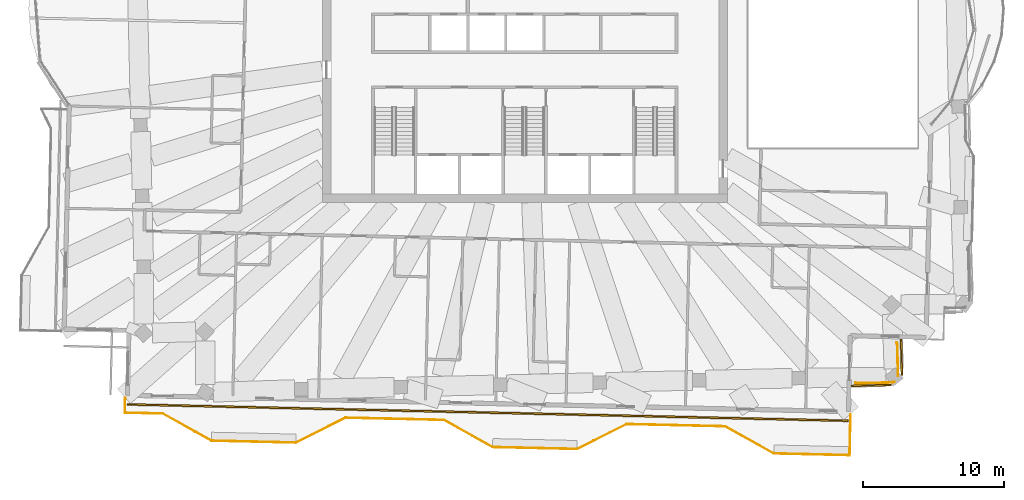
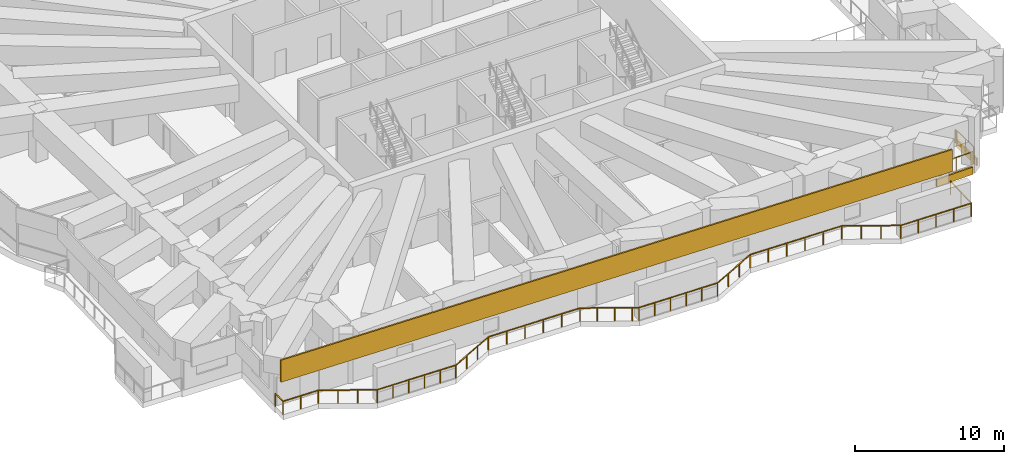
# One storey, part 17 of 20: 3 coverings, 3 railings.
"""IFC4 building model written with IfcOpenShell, lengths in metres."""

from ifc_helpers import new_model, si_unit, direction, frame, frame_2d, origin, origin_2d, place, context, subcontext, project, spatial, rectangle, extrude, material, layer, layer_set, type_object, element, save


model = new_model("IFC4")

# Units and contexts
model_context = context("Model", 3, precision=1e-05, world=origin(), true_north=direction((0.0, 1.0)))
body_context = subcontext(model_context, "Body", "Model", "MODEL_VIEW")
ifc_project = project(units=[si_unit("LENGTHUNIT", "METRE"), si_unit("AREAUNIT", "SQUARE_METRE"), si_unit("VOLUMEUNIT", "CUBIC_METRE"), si_unit("PLANEANGLEUNIT", "RADIAN"), si_unit("MASSUNIT", "GRAM", prefix="KILO")], contexts=[model_context])

# Site, building, storey
site_placement = place(None, origin())
site = spatial("IfcSite", under=ifc_project, at=site_placement, CompositionType="ELEMENT")
building_placement = place(site_placement, origin())
building = spatial("IfcBuilding", under=site, at=building_placement, Name="Mangrove Gate Tower", CompositionType="ELEMENT")
storey_placement = place(building_placement, frame((0.0, 0.0, 301.5)))
storey = spatial("IfcBuildingStorey", under=building, at=storey_placement, Name="L77", CompositionType="ELEMENT", Elevation=301.5)

# Railings
ifc_material_1 = material(Name="Stainless steel grade 316 with laminated glass infill", Category="steel")
railing_type = type_object("IfcRailingType", Name="Balcony guard 1100", PredefinedType="GUARDRAIL", material=ifc_material_1)
railing_1_placement = place(storey_placement, frame((-28.41796875, -25.2890625, 0.0)))
element("IfcRailing", 1, at=railing_1_placement, inside=storey, type_object=railing_type, Name="GUARD L77 S1", PredefinedType="GUARDRAIL", context=body_context, shape_type="SweptSolid", body=[
    extrude(rectangle(XDim=0.048095703125, YDim=0.048095703125, at=origin_2d()), frame((0.0, 0.0, 1.076171875), z_axis=(-0.022590498181, -0.999744802133, 0.0), x_axis=(0.999744802133, -0.022590498181, 0.0)), (0.0, 0.0, 1.0), 1.05908203125),
    extrude(rectangle(XDim=0.048095703125, YDim=0.048095703125, at=origin_2d()), frame((-0.02392578125, -1.058837890625, 1.076171875), z_axis=(0.999744396973, -0.02260842146, 0.0), x_axis=(0.02260842146, 0.999744396973, 0.0)), (0.0, 0.0, 1.0), 2.69970703125),
    extrude(rectangle(XDim=0.048095703125, YDim=0.048095703125, at=origin_2d()), frame((2.675048828125, -1.119873046875, 1.076171875), z_axis=(0.87325689943, -0.48726008209, 0.0), x_axis=(0.48726008209, 0.87325689943, 0.0)), (0.0, 0.0, 1.0), 3.958740234375),
    extrude(rectangle(XDim=0.048095703125, YDim=0.048095703125, at=origin_2d()), frame((6.132080078125, -3.048828125, 1.076171875), z_axis=(0.999738527144, -0.022866511426, 0.0), x_axis=(0.022866511426, 0.999738527144, 0.0)), (0.0, 0.0, 1.0), 6.000244140625),
    extrude(rectangle(XDim=0.048095703125, YDim=0.048095703125, at=origin_2d()), frame((12.130859375, -3.18603515625, 1.076171875), z_axis=(0.894377854182, 0.447312255532, 0.0), x_axis=(-0.447312255532, 0.894377854182, 0.0)), (0.0, 0.0, 1.0), 3.959228515625),
    extrude(rectangle(XDim=0.048095703125, YDim=0.048095703125, at=origin_2d()), frame((15.671875, -1.4150390625, 1.076171875), z_axis=(0.999742195543, -0.022705559911, 0.0), x_axis=(0.022705559911, 0.999742195543, 0.0)), (0.0, 0.0, 1.0), 6.999755859375),
    extrude(rectangle(XDim=0.048095703125, YDim=0.048095703125, at=origin_2d()), frame((22.669921875, -1.573974609375, 1.076171875), z_axis=(0.873203214325, -0.487356282911, 0.0), x_axis=(0.487356282911, 0.873203214325, 0.0)), (0.0, 0.0, 1.0), 3.506591796875),
    extrude(rectangle(XDim=0.048095703125, YDim=0.048095703125, at=origin_2d()), frame((25.73193359375, -3.282958984375, 1.076171875), z_axis=(0.873672905931, -0.486513775182, 0.0), x_axis=(0.486513775182, 0.873672905931, 0.0)), (0.0, 0.0, 1.0), 0.4521484375),
    extrude(rectangle(XDim=0.048095703125, YDim=0.048095703125, at=origin_2d()), frame((26.126953125, -3.5029296875, 1.076171875), z_axis=(0.999743178102, -0.022662255828, 0.0), x_axis=(0.022662255828, 0.999743178102, 0.0)), (0.0, 0.0, 1.0), 6.00048828125),
    extrude(rectangle(XDim=0.048095703125, YDim=0.048095703125, at=origin_2d()), frame((32.1259765625, -3.638916015625, 1.076171875), z_axis=(0.894476522376, 0.447114919141, 0.0), x_axis=(-0.447114919141, 0.894476522376, 0.0)), (0.0, 0.0, 1.0), 3.958740234375),
    extrude(rectangle(XDim=0.048095703125, YDim=0.048095703125, at=origin_2d()), frame((35.6669921875, -1.868896484375, 1.076171875), z_axis=(0.999742195543, -0.022705559911, 0.0), x_axis=(0.022705559911, 0.999742195543, 0.0)), (0.0, 0.0, 1.0), 6.999755859375),
    extrude(rectangle(XDim=0.048095703125, YDim=0.048095703125, at=origin_2d()), frame((42.6650390625, -2.02783203125, 1.076171875), z_axis=(0.873230657876, -0.487307108654, 0.0), x_axis=(0.487307108654, 0.873230657876, 0.0)), (0.0, 0.0, 1.0), 3.958984375),
    extrude(rectangle(XDim=0.048095703125, YDim=0.048095703125, at=origin_2d()), frame((46.1220703125, -3.95703125, 1.076171875), z_axis=(0.999745510027, -0.022559148481, 0.0), x_axis=(0.022559148481, 0.999745510027, 0.0)), (0.0, 0.0, 1.0), 5.400390625),
    extrude(rectangle(XDim=0.048095703125, YDim=0.048095703125, at=origin_2d()), frame((51.52099609375, -4.078857421875, 1.076171875), z_axis=(0.022654696127, 0.999743349437, 0.0), x_axis=(-0.999743349437, 0.022654696127, 0.0)), (0.0, 0.0, 1.0), 2.90966796875),
    extrude(rectangle(XDim=0.0419921875, YDim=0.0419921875, at=origin_2d()), origin(), (0.0, 0.0, 1.0), 1.052001953125),
    extrude(rectangle(XDim=0.0419921875, YDim=0.0419921875, at=origin_2d()), frame((-0.02392578125, -1.058837890625, 0.0)), (0.0, 0.0, 1.0), 1.052001953125),
    extrude(rectangle(XDim=0.0419921875, YDim=0.0419921875, at=origin_2d()), frame((1.32568359375, -1.08935546875, 0.0)), (0.0, 0.0, 1.0), 1.052001953125),
    extrude(rectangle(XDim=0.0419921875, YDim=0.0419921875, at=origin_2d()), frame((2.675048828125, -1.119873046875, 0.0)), (0.0, 0.0, 1.0), 1.052001953125),
    extrude(rectangle(XDim=0.0419921875, YDim=0.0419921875, at=origin_2d()), frame((3.827392578125, -1.762939453125, 0.0)), (0.0, 0.0, 1.0), 1.052001953125),
    extrude(rectangle(XDim=0.0419921875, YDim=0.0419921875, at=origin_2d()), frame((4.979736328125, -2.40576171875, 0.0)), (0.0, 0.0, 1.0), 1.052001953125),
    extrude(rectangle(XDim=0.0419921875, YDim=0.0419921875, at=origin_2d()), frame((6.132080078125, -3.048828125, 0.0)), (0.0, 0.0, 1.0), 1.052001953125),
    extrude(rectangle(XDim=0.0419921875, YDim=0.0419921875, at=origin_2d()), frame((7.331787109375, -3.076171875, 0.0)), (0.0, 0.0, 1.0), 1.052001953125),
    extrude(rectangle(XDim=0.0419921875, YDim=0.0419921875, at=origin_2d()), frame((8.531494140625, -3.103759765625, 0.0)), (0.0, 0.0, 1.0), 1.052001953125),
    extrude(rectangle(XDim=0.0419921875, YDim=0.0419921875, at=origin_2d()), frame((9.7314453125, -3.131103515625, 0.0)), (0.0, 0.0, 1.0), 1.052001953125),
    extrude(rectangle(XDim=0.0419921875, YDim=0.0419921875, at=origin_2d()), frame((10.93115234375, -3.15869140625, 0.0)), (0.0, 0.0, 1.0), 1.052001953125),
    extrude(rectangle(XDim=0.0419921875, YDim=0.0419921875, at=origin_2d()), frame((12.130859375, -3.18603515625, 0.0)), (0.0, 0.0, 1.0), 1.052001953125),
    extrude(rectangle(XDim=0.0419921875, YDim=0.0419921875, at=origin_2d()), frame((13.311279296875, -2.595703125, 0.0)), (0.0, 0.0, 1.0), 1.052001953125),
    extrude(rectangle(XDim=0.0419921875, YDim=0.0419921875, at=origin_2d()), frame((14.491455078125, -2.00537109375, 0.0)), (0.0, 0.0, 1.0), 1.052001953125),
    extrude(rectangle(XDim=0.0419921875, YDim=0.0419921875, at=origin_2d()), frame((15.671875, -1.4150390625, 0.0)), (0.0, 0.0, 1.0), 1.052001953125),
    extrude(rectangle(XDim=0.0419921875, YDim=0.0419921875, at=origin_2d()), frame((17.071533203125, -1.44677734375, 0.0)), (0.0, 0.0, 1.0), 1.052001953125),
    extrude(rectangle(XDim=0.0419921875, YDim=0.0419921875, at=origin_2d()), frame((18.47119140625, -1.478515625, 0.0)), (0.0, 0.0, 1.0), 1.052001953125),
    extrude(rectangle(XDim=0.0419921875, YDim=0.0419921875, at=origin_2d()), frame((19.87060546875, -1.510498046875, 0.0)), (0.0, 0.0, 1.0), 1.052001953125),
    extrude(rectangle(XDim=0.0419921875, YDim=0.0419921875, at=origin_2d()), frame((21.270263671875, -1.542236328125, 0.0)), (0.0, 0.0, 1.0), 1.052001953125),
    extrude(rectangle(XDim=0.0419921875, YDim=0.0419921875, at=origin_2d()), frame((22.669921875, -1.573974609375, 0.0)), (0.0, 0.0, 1.0), 1.052001953125),
    extrude(rectangle(XDim=0.0419921875, YDim=0.0419921875, at=origin_2d()), frame((23.690673828125, -2.1435546875, 0.0)), (0.0, 0.0, 1.0), 1.052001953125),
    extrude(rectangle(XDim=0.0419921875, YDim=0.0419921875, at=origin_2d()), frame((24.711181640625, -2.71337890625, 0.0)), (0.0, 0.0, 1.0), 1.052001953125),
    extrude(rectangle(XDim=0.0419921875, YDim=0.0419921875, at=origin_2d()), frame((25.73193359375, -3.282958984375, 0.0)), (0.0, 0.0, 1.0), 1.052001953125),
    extrude(rectangle(XDim=0.0419921875, YDim=0.0419921875, at=origin_2d()), frame((26.126953125, -3.5029296875, 0.0)), (0.0, 0.0, 1.0), 1.052001953125),
    extrude(rectangle(XDim=0.0419921875, YDim=0.0419921875, at=origin_2d()), frame((27.32666015625, -3.530029296875, 0.0)), (0.0, 0.0, 1.0), 1.052001953125),
    extrude(rectangle(XDim=0.0419921875, YDim=0.0419921875, at=origin_2d()), frame((28.526611328125, -3.557373046875, 0.0)), (0.0, 0.0, 1.0), 1.052001953125),
    extrude(rectangle(XDim=0.0419921875, YDim=0.0419921875, at=origin_2d()), frame((29.726318359375, -3.58447265625, 0.0)), (0.0, 0.0, 1.0), 1.052001953125),
    extrude(rectangle(XDim=0.0419921875, YDim=0.0419921875, at=origin_2d()), frame((30.92626953125, -3.61181640625, 0.0)), (0.0, 0.0, 1.0), 1.052001953125),
    extrude(rectangle(XDim=0.0419921875, YDim=0.0419921875, at=origin_2d()), frame((32.1259765625, -3.638916015625, 0.0)), (0.0, 0.0, 1.0), 1.052001953125),
    extrude(rectangle(XDim=0.0419921875, YDim=0.0419921875, at=origin_2d()), frame((33.306396484375, -3.048828125, 0.0)), (0.0, 0.0, 1.0), 1.052001953125),
    extrude(rectangle(XDim=0.0419921875, YDim=0.0419921875, at=origin_2d()), frame((34.486572265625, -2.458984375, 0.0)), (0.0, 0.0, 1.0), 1.052001953125),
    extrude(rectangle(XDim=0.0419921875, YDim=0.0419921875, at=origin_2d()), frame((35.6669921875, -1.868896484375, 0.0)), (0.0, 0.0, 1.0), 1.052001953125),
    extrude(rectangle(XDim=0.0419921875, YDim=0.0419921875, at=origin_2d()), frame((37.066650390625, -1.900634765625, 0.0)), (0.0, 0.0, 1.0), 1.052001953125),
    extrude(rectangle(XDim=0.0419921875, YDim=0.0419921875, at=origin_2d()), frame((38.46630859375, -1.932373046875, 0.0)), (0.0, 0.0, 1.0), 1.052001953125),
    extrude(rectangle(XDim=0.0419921875, YDim=0.0419921875, at=origin_2d()), frame((39.86572265625, -1.96435546875, 0.0)), (0.0, 0.0, 1.0), 1.052001953125),
    extrude(rectangle(XDim=0.0419921875, YDim=0.0419921875, at=origin_2d()), frame((41.265380859375, -1.99609375, 0.0)), (0.0, 0.0, 1.0), 1.052001953125),
    extrude(rectangle(XDim=0.0419921875, YDim=0.0419921875, at=origin_2d()), frame((42.6650390625, -2.02783203125, 0.0)), (0.0, 0.0, 1.0), 1.052001953125),
    extrude(rectangle(XDim=0.0419921875, YDim=0.0419921875, at=origin_2d()), frame((43.8173828125, -2.6708984375, 0.0)), (0.0, 0.0, 1.0), 1.052001953125),
    extrude(rectangle(XDim=0.0419921875, YDim=0.0419921875, at=origin_2d()), frame((44.9697265625, -3.31396484375, 0.0)), (0.0, 0.0, 1.0), 1.052001953125),
    extrude(rectangle(XDim=0.0419921875, YDim=0.0419921875, at=origin_2d()), frame((46.1220703125, -3.95703125, 0.0)), (0.0, 0.0, 1.0), 1.052001953125),
    extrude(rectangle(XDim=0.0419921875, YDim=0.0419921875, at=origin_2d()), frame((47.4716796875, -3.987548828125, 0.0)), (0.0, 0.0, 1.0), 1.052001953125),
    extrude(rectangle(XDim=0.0419921875, YDim=0.0419921875, at=origin_2d()), frame((48.821533203125, -4.01806640625, 0.0)), (0.0, 0.0, 1.0), 1.052001953125),
    extrude(rectangle(XDim=0.0419921875, YDim=0.0419921875, at=origin_2d()), frame((50.17138671875, -4.04833984375, 0.0)), (0.0, 0.0, 1.0), 1.052001953125),
    extrude(rectangle(XDim=0.0419921875, YDim=0.0419921875, at=origin_2d()), frame((51.52099609375, -4.078857421875, 0.0)), (0.0, 0.0, 1.0), 1.052001953125),
    extrude(rectangle(XDim=0.0419921875, YDim=0.0419921875, at=origin_2d()), frame((51.553955078125, -2.62451171875, 0.0)), (0.0, 0.0, 1.0), 1.052001953125),
    extrude(rectangle(XDim=0.0419921875, YDim=0.0419921875, at=origin_2d()), frame((51.5869140625, -1.169921875, 0.0)), (0.0, 0.0, 1.0), 1.052001953125),
])
railing_2_placement = place(storey_placement, frame((26.27587890625, -24.14697265625, 0.0)))
element("IfcRailing", 2, at=railing_2_placement, inside=storey, type_object=railing_type, Name="GUARD L77 T3.1", PredefinedType="GUARDRAIL", context=body_context, shape_type="SweptSolid", body=[
    extrude(rectangle(XDim=0.048095703125, YDim=0.048095703125, at=origin_2d()), frame((0.0, 0.0, 1.076171875), z_axis=(-0.901385111422, -0.43301833784, 0.0), x_axis=(0.43301833784, -0.901385111422, 0.0)), (0.0, 0.0, 1.0), 0.027587890625),
    extrude(rectangle(XDim=0.048095703125, YDim=0.048095703125, at=origin_2d()), frame((-0.02490234375, -0.011962890625, 1.076171875), z_axis=(-0.930510652004, -0.366264831108, 0.0), x_axis=(0.366264831108, -0.930510652004, 0.0)), (0.0, 0.0, 1.0), 0.04931640625),
    extrude(rectangle(XDim=0.048095703125, YDim=0.048095703125, at=origin_2d()), frame((-0.07080078125, -0.030029296875, 1.076171875), z_axis=(-0.964301134924, -0.264808083684, 0.0), x_axis=(0.264808083684, -0.964301134924, 0.0)), (0.0, 0.0, 1.0), 0.048828125),
    extrude(rectangle(XDim=0.048095703125, YDim=0.048095703125, at=origin_2d()), frame((-0.117919921875, -0.04296875, 1.076171875), z_axis=(-0.986120615914, -0.166030511863, 0.0), x_axis=(0.166030511863, -0.986120615914, 0.0)), (0.0, 0.0, 1.0), 0.048583984375),
    extrude(rectangle(XDim=0.048095703125, YDim=0.048095703125, at=origin_2d()), frame((-0.165771484375, -0.051025390625, 1.076171875), z_axis=(-0.996846739125, -0.079350984209, 0.0), x_axis=(0.079350984209, -0.996846739125, 0.0)), (0.0, 0.0, 1.0), 0.04931640625),
    extrude(rectangle(XDim=0.048095703125, YDim=0.048095703125, at=origin_2d()), frame((-0.21484375, -0.054931640625, 1.076171875), z_axis=(-0.999748690042, -0.022417777764, 0.0), x_axis=(0.022417777764, -0.999748690042, 0.0)), (0.0, 0.0, 1.0), 2.319580078125),
    extrude(rectangle(XDim=0.048095703125, YDim=0.048095703125, at=origin_2d()), frame((-2.533935546875, -0.10693359375, 1.076171875), z_axis=(-0.999816904308, 0.019135251757, 0.0), x_axis=(-0.019135251757, -0.999816904308, 0.0)), (0.0, 0.0, 1.0), 0.051025390625),
    extrude(rectangle(XDim=0.048095703125, YDim=0.048095703125, at=origin_2d()), frame((-2.5849609375, -0.10595703125, 1.076171875), z_axis=(-0.990711579604, 0.13598002073, 0.0), x_axis=(-0.13598002073, -0.990711579604, 0.0)), (0.0, 0.0, 1.0), 0.05029296875),
    extrude(rectangle(XDim=0.048095703125, YDim=0.048095703125, at=origin_2d()), frame((-2.634765625, -0.09912109375, 1.076171875), z_axis=(-0.975843140333, 0.218472344851, 0.0), x_axis=(-0.218472344851, -0.975843140333, 0.0)), (0.0, 0.0, 1.0), 0.05029296875),
    extrude(rectangle(XDim=0.048095703125, YDim=0.048095703125, at=origin_2d()), frame((-2.683837890625, -0.088134765625, 1.076171875), z_axis=(-0.948200878903, 0.317671360445, 0.0), x_axis=(-0.317671360445, -0.948200878903, 0.0)), (0.0, 0.0, 1.0), 0.05078125),
    extrude(rectangle(XDim=0.048095703125, YDim=0.048095703125, at=origin_2d()), frame((-2.73193359375, -0.072021484375, 1.076171875), z_axis=(-0.894427191, 0.4472135955, 0.0), x_axis=(-0.4472135955, -0.894427191, 0.0)), (0.0, 0.0, 1.0), 0.0224609375),
    extrude(rectangle(XDim=0.0419921875, YDim=0.0419921875, at=origin_2d()), origin(), (0.0, 0.0, 1.0), 1.052001953125),
    extrude(rectangle(XDim=0.0419921875, YDim=0.0419921875, at=origin_2d()), frame((-0.02490234375, -0.011962890625, 0.0)), (0.0, 0.0, 1.0), 1.052001953125),
    extrude(rectangle(XDim=0.0419921875, YDim=0.0419921875, at=origin_2d()), frame((-0.07080078125, -0.030029296875, 0.0)), (0.0, 0.0, 1.0), 1.052001953125),
    extrude(rectangle(XDim=0.0419921875, YDim=0.0419921875, at=origin_2d()), frame((-0.117919921875, -0.04296875, 0.0)), (0.0, 0.0, 1.0), 1.052001953125),
    extrude(rectangle(XDim=0.0419921875, YDim=0.0419921875, at=origin_2d()), frame((-0.165771484375, -0.051025390625, 0.0)), (0.0, 0.0, 1.0), 1.052001953125),
    extrude(rectangle(XDim=0.0419921875, YDim=0.0419921875, at=origin_2d()), frame((-0.21484375, -0.054931640625, 0.0)), (0.0, 0.0, 1.0), 1.052001953125),
    extrude(rectangle(XDim=0.0419921875, YDim=0.0419921875, at=origin_2d()), frame((-1.37451171875, -0.0810546875, 0.0)), (0.0, 0.0, 1.0), 1.052001953125),
    extrude(rectangle(XDim=0.0419921875, YDim=0.0419921875, at=origin_2d()), frame((-2.533935546875, -0.10693359375, 0.0)), (0.0, 0.0, 1.0), 1.052001953125),
    extrude(rectangle(XDim=0.0419921875, YDim=0.0419921875, at=origin_2d()), frame((-2.5849609375, -0.10595703125, 0.0)), (0.0, 0.0, 1.0), 1.052001953125),
    extrude(rectangle(XDim=0.0419921875, YDim=0.0419921875, at=origin_2d()), frame((-2.634765625, -0.09912109375, 0.0)), (0.0, 0.0, 1.0), 1.052001953125),
    extrude(rectangle(XDim=0.0419921875, YDim=0.0419921875, at=origin_2d()), frame((-2.683837890625, -0.088134765625, 0.0)), (0.0, 0.0, 1.0), 1.052001953125),
    extrude(rectangle(XDim=0.0419921875, YDim=0.0419921875, at=origin_2d()), frame((-2.73193359375, -0.072021484375, 0.0)), (0.0, 0.0, 1.0), 1.052001953125),
    extrude(rectangle(XDim=0.0419921875, YDim=0.0419921875, at=origin_2d()), frame((-2.751953125, -0.06201171875, 0.0)), (0.0, 0.0, 1.0), 1.052001953125),
])
railing_3_placement = place(storey_placement, frame((26.446044921875, -21.35498046875, 0.0)))
element("IfcRailing", 3, at=railing_3_placement, inside=storey, type_object=railing_type, Name="GUARD L77 T3.2", PredefinedType="GUARDRAIL", context=body_context, shape_type="SweptSolid", body=[
    extrude(rectangle(XDim=0.048095703125, YDim=0.048095703125, at=origin_2d()), frame((0.0, 0.0, 1.076171875), z_axis=(0.432961799002, -0.901412270054, 0.0), x_axis=(0.901412270054, 0.432961799002, 0.0)), (0.0, 0.0, 1.0), 0.034423828125),
    extrude(rectangle(XDim=0.048095703125, YDim=0.048095703125, at=origin_2d()), frame((0.014892578125, -0.031005859375, 1.076171875), z_axis=(0.362446261155, -0.932004671541, 0.0), x_axis=(0.932004671541, 0.362446261155, 0.0)), (0.0, 0.0, 1.0), 0.047119140625),
    extrude(rectangle(XDim=0.048095703125, YDim=0.048095703125, at=origin_2d()), frame((0.031982421875, -0.074951171875, 1.076171875), z_axis=(0.250962158784, -0.967996898166, 0.0), x_axis=(0.967996898166, 0.250962158784, 0.0)), (0.0, 0.0, 1.0), 0.047607421875),
    extrude(rectangle(XDim=0.048095703125, YDim=0.048095703125, at=origin_2d()), frame((0.0439453125, -0.12109375, 1.076171875), z_axis=(0.169391215599, -0.98554889076, 0.0), x_axis=(0.98554889076, 0.169391215599, 0.0)), (0.0, 0.0, 1.0), 0.047607421875),
    extrude(rectangle(XDim=0.048095703125, YDim=0.048095703125, at=origin_2d()), frame((0.052001953125, -0.16796875, 1.076171875), z_axis=(0.060801009575, -0.998149907196, 0.0), x_axis=(0.998149907196, 0.060801009575, 0.0)), (0.0, 0.0, 1.0), 0.048095703125),
    extrude(rectangle(XDim=0.048095703125, YDim=0.048095703125, at=origin_2d()), frame((0.054931640625, -0.216064453125, 1.076171875), z_axis=(0.022692622467, -0.999742489287, 0.0), x_axis=(0.999742489287, 0.022692622467, 0.0)), (0.0, 0.0, 1.0), 2.119384765625),
    extrude(rectangle(XDim=0.048095703125, YDim=0.048095703125, at=origin_2d()), frame((0.10302734375, -2.3349609375, 1.076171875), z_axis=(-0.019508481785, -0.999809691461, 0.0), x_axis=(0.999809691461, -0.019508481785, 0.0)), (0.0, 0.0, 1.0), 0.050048828125),
    extrude(rectangle(XDim=0.0419921875, YDim=0.0419921875, at=origin_2d()), origin(), (0.0, 0.0, 1.0), 1.052001953125),
    extrude(rectangle(XDim=0.0419921875, YDim=0.0419921875, at=origin_2d()), frame((0.014892578125, -0.031005859375, 0.0)), (0.0, 0.0, 1.0), 1.052001953125),
    extrude(rectangle(XDim=0.0419921875, YDim=0.0419921875, at=origin_2d()), frame((0.031982421875, -0.074951171875, 0.0)), (0.0, 0.0, 1.0), 1.052001953125),
    extrude(rectangle(XDim=0.0419921875, YDim=0.0419921875, at=origin_2d()), frame((0.0439453125, -0.12109375, 0.0)), (0.0, 0.0, 1.0), 1.052001953125),
    extrude(rectangle(XDim=0.0419921875, YDim=0.0419921875, at=origin_2d()), frame((0.052001953125, -0.16796875, 0.0)), (0.0, 0.0, 1.0), 1.052001953125),
    extrude(rectangle(XDim=0.0419921875, YDim=0.0419921875, at=origin_2d()), frame((0.054931640625, -0.216064453125, 0.0)), (0.0, 0.0, 1.0), 1.052001953125),
    extrude(rectangle(XDim=0.0419921875, YDim=0.0419921875, at=origin_2d()), frame((0.0791015625, -1.275390625, 0.0)), (0.0, 0.0, 1.0), 1.052001953125),
    extrude(rectangle(XDim=0.0419921875, YDim=0.0419921875, at=origin_2d()), frame((0.10302734375, -2.3349609375, 0.0)), (0.0, 0.0, 1.0), 1.052001953125),
    extrude(rectangle(XDim=0.0419921875, YDim=0.0419921875, at=origin_2d()), frame((0.10205078125, -2.385009765625, 0.0)), (0.0, 0.0, 1.0), 1.052001953125),
])

# Coverings
ifc_material_2 = material(Name="Limestone", Category="masonry")
ifc_layer_1 = layer(ifc_material_2, 0.0400390625, Name="Limestone cladding")
ifc_material_3 = material(Name="Stainless steel anchors and cavity", Category="steel")
ifc_layer_2 = layer(ifc_material_3, 0.080078125, Name="Fixing cavity")
ifc_layer_set = layer_set([ifc_layer_1, ifc_layer_2], Name="Joint fascia cladding 120")
covering_type = type_object("IfcCoveringType", Name="Joint fascia cladding 120", PredefinedType="CLADDING", material=ifc_layer_set)
covering_1_placement = place(storey_placement, frame((-28.279052734375, -25.7529296875, 2.25), z_axis=(0.0, 0.0, 1.0), x_axis=(0.999742523023, -0.022691136133, 0.0)))
element("IfcCovering", 4, at=covering_1_placement, inside=storey, type_object=covering_type, Name="STONE FASCIA L77 S13.1", PredefinedType="CLADDING", context=body_context, shape_type="SweptSolid", body=[
    extrude(rectangle(XDim=51.30029296875, YDim=0.1201171875, at=frame_2d((25.650146484375, 0.0))), origin(), (0.0, 0.0, 1.0), 1.800048828125),
])
covering_2_placement = place(storey_placement, frame((26.06494140625, -24.3701171875, -0.60009765625), z_axis=(0.0, 0.0, 1.0), x_axis=(-0.999740062525, -0.022799284691, 0.0)))
element("IfcCovering", 5, at=covering_2_placement, inside=storey, type_object=covering_type, Name="STONE FASCIA L77 TB103-1.1", PredefinedType="CLADDING", context=body_context, shape_type="SweptSolid", body=[
    extrude(rectangle(XDim=2.848388671875, YDim=0.1201171875, at=frame_2d((1.42431640625, 0.0))), origin(), (0.0, 0.0, 1.0), 0.60009765625),
])
covering_3_placement = place(storey_placement, frame((26.76220703125, -21.101806640625, -0.60009765625), z_axis=(0.0, 0.0, 1.0), x_axis=(0.023157256266, -0.999731834785, 0.0)))
element("IfcCovering", 6, at=covering_3_placement, inside=storey, type_object=covering_type, Name="STONE FASCIA L77 TB103-2.1", PredefinedType="CLADDING", context=body_context, shape_type="SweptSolid", body=[
    extrude(rectangle(XDim=2.5830078125, YDim=0.1201171875, at=frame_2d((1.29150390625, 0.0))), origin(), (0.0, 0.0, 1.0), 0.60009765625),
])

save(model, "model.ifc")
